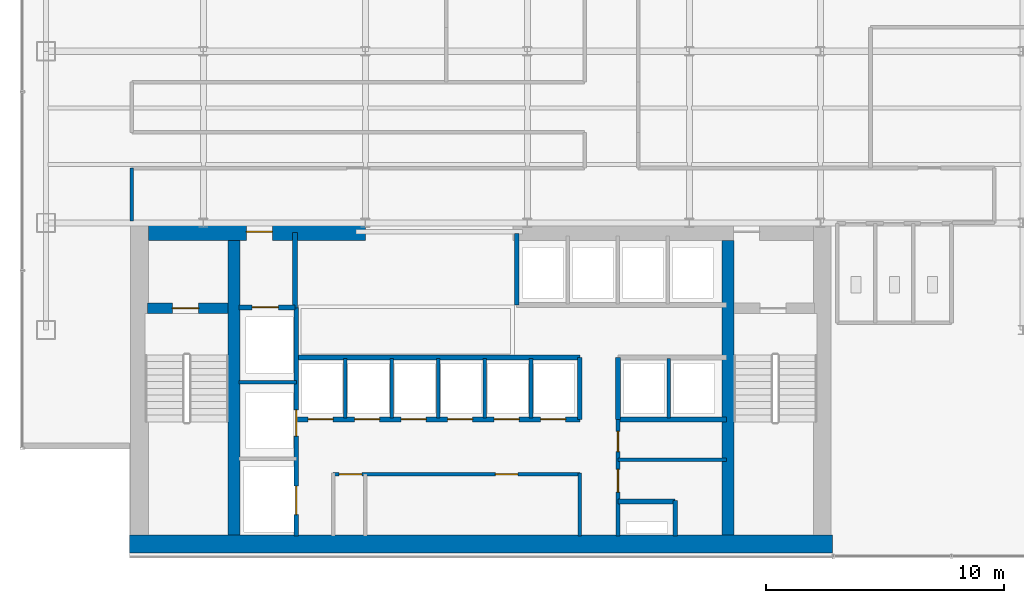
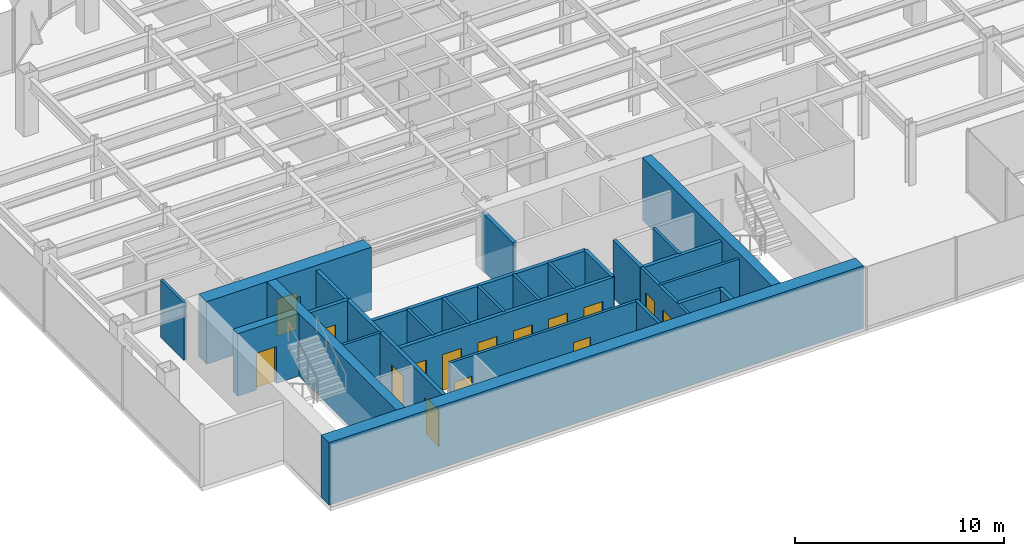
# One storey, part 21 of 26: 28 walls, 15 doors, 15 openings.
"""IFC4 building model written with IfcOpenShell, lengths in metres."""

from ifc_helpers import new_model, si_unit, derived_unit, direction, frame, frame_2d, origin, place, context, subcontext, project, spatial, rectangle, extrude, source, transform, mapped, material, layer, layer_set, type_object, element, fill, save


model = new_model("IFC4")

# Units and contexts
model_context = context("Model", 3, precision=1e-05, world=origin(), true_north=direction((0.0, 1.0)))
body_context = subcontext(model_context, "Body", "Model", "MODEL_VIEW")
ifc_project = project(units=[si_unit("LENGTHUNIT", "METRE"), si_unit("AREAUNIT", "SQUARE_METRE"), si_unit("VOLUMEUNIT", "CUBIC_METRE"), si_unit("PLANEANGLEUNIT", "RADIAN"), si_unit("MASSUNIT", "GRAM", prefix="KILO"), derived_unit("THERMALTRANSMITTANCEUNIT", [(si_unit("POWERUNIT", "WATT"), 1), (si_unit("LENGTHUNIT", "METRE"), -2), (si_unit("THERMODYNAMICTEMPERATUREUNIT", "KELVIN"), -1)])], contexts=[model_context])

# Site, building, storey
site_placement = place(None, origin())
site = spatial("IfcSite", under=ifc_project, at=site_placement, CompositionType="ELEMENT")
building_placement = place(site_placement, origin())
building = spatial("IfcBuilding", under=site, at=building_placement, Name="Skarnbrae Concourse Arena and Tower", CompositionType="ELEMENT")
storey_placement = place(building_placement, frame((0.0, 0.0, 132.449951171875)))
storey = spatial("IfcBuildingStorey", under=building, at=storey_placement, Name="L33", CompositionType="ELEMENT", Elevation=132.449951171875)

# Wall, opening, door
ifc_material_1 = material(Name="Concrete 50 MPa (C50/60)", Category="concrete")
ifc_layer_1 = layer(ifc_material_1, 0.449951171875)
ifc_layer_set_1 = layer_set([ifc_layer_1], Name="Concrete 50 MPa (C50/60)")
wall_type_1 = type_object("IfcWallType", Name="WALL-CORE-450-C50", PredefinedType="SHEAR", material=ifc_layer_set_1)
shared_shape_1 = source(origin(), body_context, "Body", "SweptSolid", [
    extrude(rectangle(XDim=3.389892578125, YDim=0.449951171875, at=frame_2d((1.69482421875, 0.0))), origin(), (0.0, 0.0, 1.0), 3.650146484375),
])
wall_1_placement = place(storey_placement, frame((5.25, 10.419921875, 0.0), z_axis=(0.0, 0.0, 1.0), x_axis=(1.0, 0.0, 0.0)))
wall_1 = element("IfcWall", 1, at=wall_1_placement, inside=storey, type_object=wall_type_1, Name="L33 Rear core shear wall CW-ST1-N", PredefinedType="SHEAR", context=body_context, shape_type="MappedRepresentation", body=[
    mapped(shared_shape_1, transform((0.0, 0.0, 0.0))),
])
opening_1_placement = place(wall_1_placement, frame((1.050048828125, 0.0, 0.0)))
opening_1 = element("IfcOpeningElement", 2, at=opening_1_placement, cuts=wall_1, Name="Opening DT-03", PredefinedType="OPENING", context=body_context, shape_type="SweptSolid", body=[
    extrude(rectangle(XDim=1.10009765625, YDim=2.14990234375, at=frame_2d((0.550048828125, 1.074951171875))), frame((0.0, 0.23486328125, 0.0), z_axis=(0.0, -1.0, 0.0), x_axis=(1.0, 0.0, 0.0)), (0.0, 0.0, 1.0), 0.469970703125),
])
ifc_material_2 = material(Name="Steel CSA G40.21 350W", Category="steel")
door_type_1 = type_object("IfcDoorType", Name="DOOR-FIRE-1100-90M", OperationType="NOTDEFINED", PredefinedType="DOOR", material=ifc_material_2)
shared_shape_2 = source(origin(), body_context, "Body", "SweptSolid", [
    extrude(rectangle(XDim=1.10009765625, YDim=2.14990234375, at=frame_2d((0.550048828125, 1.074951171875))), frame((0.0, 0.02490234375, 0.0), z_axis=(0.0, -1.0, 0.0), x_axis=(1.0, 0.0, 0.0)), (0.0, 0.0, 1.0), 0.050048828125),
])
door_1_placement = place(opening_1_placement, frame((1.10009765625, 0.0, 0.0), z_axis=(0.0, 0.0, 1.0), x_axis=(-1.0, 0.0, 0.0)))
door_1 = element("IfcDoor", 3, at=door_1_placement, inside=storey, type_object=door_type_1, Name="D-1056 Stair ST-1 Door", OperationType="SINGLE_SWING_LEFT", OverallHeight=2.14990234375, OverallWidth=1.10009765625, PredefinedType="DOOR", context=body_context, shape_type="MappedRepresentation", body=[
    mapped(shared_shape_2, transform((0.0, 0.0, 0.0))),
])
fill(opening_1, door_1)

# Wall
ifc_material_3 = material(Name="Concrete 60 MPa (C60/75)", Category="concrete")
ifc_layer_2 = layer(ifc_material_3, 0.75)
ifc_layer_set_2 = layer_set([ifc_layer_2], Name="Concrete 60 MPa (C60/75)")
wall_type_2 = type_object("IfcWallType", Name="WALL-CORE-750-C60", PredefinedType="SHEAR", material=ifc_layer_set_2)
shared_shape_3 = source(origin(), body_context, "Body", "SweptSolid", [
    extrude(rectangle(XDim=29.5, YDim=0.75, at=frame_2d((14.75, 0.0))), origin(), (0.0, 0.0, 1.0), 3.650146484375),
])
wall_2_placement = place(storey_placement, frame((4.5, 0.52490234375, 0.0), z_axis=(0.0, 0.0, 1.0), x_axis=(1.0, 0.0, 0.0)))
element("IfcWall", 4, at=wall_2_placement, inside=storey, type_object=wall_type_2, Name="L33 Rear core shear wall CW-S", PredefinedType="SHEAR", context=body_context, shape_type="MappedRepresentation", body=[
    mapped(shared_shape_3, transform((0.0, 0.0, 0.0))),
])

# Wall, opening, door
shared_shape_4 = source(origin(), body_context, "Body", "SweptSolid", [
    extrude(rectangle(XDim=9.099853515625, YDim=0.75, at=frame_2d((4.5498046875, 0.0))), origin(), (0.0, 0.0, 1.0), 3.650146484375),
])
wall_3_placement = place(storey_placement, frame((5.300048828125, 13.625, 0.0), z_axis=(0.0, 0.0, 1.0), x_axis=(1.0, 0.0, 0.0)))
wall_3 = element("IfcWall", 5, at=wall_3_placement, inside=storey, type_object=wall_type_2, Name="L33 Rear core shear wall CW-NW", PredefinedType="SHEAR", context=body_context, shape_type="MappedRepresentation", body=[
    mapped(shared_shape_4, transform((0.0, 0.0, 0.0))),
])
opening_2_placement = place(wall_3_placement, frame((4.10009765625, 0.0, 0.0)))
opening_2 = element("IfcOpeningElement", 6, at=opening_2_placement, cuts=wall_3, Name="Opening DT-03", PredefinedType="OPENING", context=body_context, shape_type="SweptSolid", body=[
    extrude(rectangle(XDim=1.10009765625, YDim=2.14990234375, at=frame_2d((0.550048828125, 1.074951171875))), frame((0.0, 0.385009765625, 0.0), z_axis=(0.0, -1.0, 0.0), x_axis=(1.0, 0.0, 0.0)), (0.0, 0.0, 1.0), 0.77001953125),
])
door_2_placement = place(opening_2_placement, origin())
door_2 = element("IfcDoor", 7, at=door_2_placement, inside=storey, type_object=door_type_1, Name="D-1058 Firefighting Lobby Exit Door", OperationType="SINGLE_SWING_RIGHT", OverallHeight=2.14990234375, OverallWidth=1.10009765625, PredefinedType="DOOR", context=body_context, shape_type="MappedRepresentation", body=[
    mapped(shared_shape_2, transform((0.0, 0.0, 0.0))),
])
fill(opening_2, door_2)

# Walls
ifc_layer_3 = layer(ifc_material_3, 0.5)
ifc_layer_set_3 = layer_set([ifc_layer_3], Name="Concrete 60 MPa (C60/75)")
wall_type_3 = type_object("IfcWallType", Name="WALL-CORE-500-C60", PredefinedType="SHEAR", material=ifc_layer_set_3)
shared_shape_5 = source(origin(), body_context, "Body", "SweptSolid", [
    extrude(rectangle(XDim=12.35009765625, YDim=0.5, at=frame_2d((6.175048828125, 0.0))), origin(), (0.0, 0.0, 1.0), 3.650146484375),
])
for number, where, z_axis, x_axis, name in (
    (8, (8.889892578125, 0.89990234375, 0.0), (0.0, 0.0, 1.0), (0.0, 1.0, 0.0), "L33 Rear core shear wall CW-WEB-W"),
    (9, (29.610107421875, 0.89990234375, 0.0), (0.0, 0.0, 1.0), (0.0, 1.0, 0.0), "L33 Rear core shear wall CW-WEB-E"),
):
    element("IfcWall", number, at=place(storey_placement, frame(where, z_axis=z_axis, x_axis=x_axis)), inside=storey, type_object=wall_type_3, Name=name, PredefinedType="SHEAR", context=body_context, shape_type="MappedRepresentation", body=[
        mapped(shared_shape_5, transform((0.0, 0.0, 0.0))),
    ])
ifc_material_4 = material(Name="Gypsum board on cold-formed steel studs", Category="steel")
ifc_layer_4 = layer(ifc_material_4, 0.199951171875)
ifc_layer_set_4 = layer_set([ifc_layer_4], Name="Gypsum board on cold-formed steel studs")
wall_type_4 = type_object("IfcWallType", Name="WALL-PART-200-2HR", PredefinedType="PARTITIONING", material=ifc_layer_set_4)
shared_shape_6 = source(origin(), body_context, "Body", "SweptSolid", [
    extrude(rectangle(XDim=3.18017578125, YDim=0.199951171875, at=frame_2d((1.590087890625, 0.0))), origin(), (0.0, 0.0, 1.0), 3.35009765625),
])
wall_4_placement = place(storey_placement, frame((11.449951171875, 10.419921875, 0.0), z_axis=(0.0, 0.0, 1.0), x_axis=(0.0, 1.0, 0.0)))
element("IfcWall", 10, at=wall_4_placement, inside=storey, type_object=wall_type_4, Name="L33 Interior partition wall W-L33-FFL-E", PredefinedType="PARTITIONING", context=body_context, shape_type="MappedRepresentation", body=[
    mapped(shared_shape_6, transform((0.0, 0.0, 0.0))),
])

# Wall, opening, door
shared_shape_7 = source(origin(), body_context, "Body", "SweptSolid", [
    extrude(rectangle(XDim=2.349853515625, YDim=0.199951171875, at=frame_2d((1.1748046875, 0.0))), origin(), (0.0, 0.0, 1.0), 3.35009765625),
])
wall_5_placement = place(storey_placement, frame((9.10009765625, 10.449951171875, 0.0), z_axis=(0.0, 0.0, 1.0), x_axis=(1.0, 0.0, 0.0)))
wall_5 = element("IfcWall", 11, at=wall_5_placement, inside=storey, type_object=wall_type_4, Name="L33 Interior partition wall W-L33-FL1-N", PredefinedType="PARTITIONING", context=body_context, shape_type="MappedRepresentation", body=[
    mapped(shared_shape_7, transform((0.0, 0.0, 0.0))),
])
opening_3_placement = place(wall_5_placement, frame((0.550048828125, 0.0, 0.0)))
opening_3 = element("IfcOpeningElement", 12, at=opening_3_placement, cuts=wall_5, Name="Opening LD-01", PredefinedType="OPENING", context=body_context, shape_type="SweptSolid", body=[
    extrude(rectangle(XDim=1.10009765625, YDim=2.14990234375, at=frame_2d((0.550048828125, 1.074951171875))), frame((0.0, 0.10986328125, 0.0), z_axis=(0.0, -1.0, 0.0), x_axis=(1.0, 0.0, 0.0)), (0.0, 0.0, 1.0), 0.219970703125),
])
door_type_2 = type_object("IfcDoorType", Name="DOOR-LIFT-SLIDE-1100", OperationType="SLIDING_TO_LEFT", PredefinedType="DOOR", material=ifc_material_2)
door_3_placement = place(opening_3_placement, origin())
door_3 = element("IfcDoor", 13, at=door_3_placement, inside=storey, type_object=door_type_2, Name="D-1060 Firefighting Lift Landing Door FL-01", OperationType="SLIDING_TO_LEFT", OverallHeight=2.14990234375, OverallWidth=1.10009765625, PredefinedType="DOOR", context=body_context, shape_type="MappedRepresentation", body=[
    mapped(shared_shape_2, transform((0.0, 0.0, 0.0))),
])
fill(opening_3, door_3)

# Wall, openings, doors
shared_shape_8 = source(origin(), body_context, "Body", "SweptSolid", [
    extrude(rectangle(XDim=9.599853515625, YDim=0.199951171875, at=frame_2d((4.7998046875, 0.0))), origin(), (0.0, 0.0, 1.0), 3.35009765625),
])
wall_6_placement = place(storey_placement, frame((11.5, 0.85009765625, 0.0), z_axis=(0.0, 0.0, 1.0), x_axis=(0.0, 1.0, 0.0)))
wall_6 = element("IfcWall", 14, at=wall_6_placement, inside=storey, type_object=wall_type_4, Name="L33 Interior partition wall W-L33-FL-E", PredefinedType="PARTITIONING", context=body_context, shape_type="MappedRepresentation", body=[
    mapped(shared_shape_8, transform((0.0, 0.0, 0.0))),
])
opening_4_placement = place(wall_6_placement, frame((4.199951171875, 0.0, 0.0)))
opening_4 = element("IfcOpeningElement", 15, at=opening_4_placement, cuts=wall_6, Name="Opening LD-01", PredefinedType="OPENING", context=body_context, shape_type="SweptSolid", body=[
    extrude(rectangle(XDim=1.10009765625, YDim=2.14990234375, at=frame_2d((0.550048828125, 1.074951171875))), frame((0.0, 0.10986328125, 0.0), z_axis=(0.0, -1.0, 0.0), x_axis=(1.0, 0.0, 0.0)), (0.0, 0.0, 1.0), 0.219970703125),
])
opening_5_placement = place(wall_6_placement, frame((0.89990234375, 0.0, 0.0)))
opening_5 = element("IfcOpeningElement", 16, at=opening_5_placement, cuts=wall_6, Name="Opening LD-02", PredefinedType="OPENING", context=body_context, shape_type="SweptSolid", body=[
    extrude(rectangle(XDim=1.199951171875, YDim=2.14990234375, at=frame_2d((0.60009765625, 1.074951171875))), frame((0.0, 0.10986328125, 0.0), z_axis=(0.0, -1.0, 0.0), x_axis=(1.0, 0.0, 0.0)), (0.0, 0.0, 1.0), 0.219970703125),
])
door_4_placement = place(opening_4_placement, frame((1.10009765625, 0.0, 0.0), z_axis=(0.0, 0.0, 1.0), x_axis=(-1.0, 0.0, 0.0)))
door_4 = element("IfcDoor", 17, at=door_4_placement, inside=storey, type_object=door_type_2, Name="D-1061 Firefighting Lift Landing Door FL-02", OperationType="SLIDING_TO_LEFT", OverallHeight=2.14990234375, OverallWidth=1.10009765625, PredefinedType="DOOR", context=body_context, shape_type="MappedRepresentation", body=[
    mapped(shared_shape_2, transform((0.0, 0.0, 0.0))),
])
fill(opening_4, door_4)
door_type_3 = type_object("IfcDoorType", Name="DOOR-LIFT-SLIDE-1200", OperationType="SLIDING_TO_LEFT", PredefinedType="DOOR", material=ifc_material_2)
shared_shape_9 = source(origin(), body_context, "Body", "SweptSolid", [
    extrude(rectangle(XDim=1.199951171875, YDim=2.14990234375, at=frame_2d((0.60009765625, 1.074951171875))), frame((0.0, 0.02490234375, 0.0), z_axis=(0.0, -1.0, 0.0), x_axis=(1.0, 0.0, 0.0)), (0.0, 0.0, 1.0), 0.050048828125),
])
door_5_placement = place(opening_5_placement, frame((1.199951171875, 0.0, 0.0), z_axis=(0.0, 0.0, 1.0), x_axis=(-1.0, 0.0, 0.0)))
door_5 = element("IfcDoor", 18, at=door_5_placement, inside=storey, type_object=door_type_3, Name="D-1062 Service Lift Landing Door SV-01", OperationType="SLIDING_TO_LEFT", OverallHeight=2.14990234375, OverallWidth=1.199951171875, PredefinedType="DOOR", context=body_context, shape_type="MappedRepresentation", body=[
    mapped(shared_shape_9, transform((0.0, 0.0, 0.0))),
])
fill(opening_5, door_5)

# Walls
ifc_layer_5 = layer(ifc_material_4, 0.14990234375)
ifc_layer_set_5 = layer_set([ifc_layer_5], Name="Gypsum board on cold-formed steel studs")
wall_type_5 = type_object("IfcWallType", Name="WALL-PART-150", PredefinedType="PARTITIONING", material=ifc_layer_set_5)
shared_shape_10 = source(origin(), body_context, "Body", "SweptSolid", [
    extrude(rectangle(XDim=2.39990234375, YDim=0.14990234375, at=frame_2d((1.199951171875, 0.0))), origin(), (0.0, 0.0, 1.0), 3.35009765625),
])
wall_7_placement = place(storey_placement, frame((9.10009765625, 7.300048828125, 0.0), z_axis=(0.0, 0.0, 1.0), x_axis=(1.0, 0.0, 0.0)))
element("IfcWall", 19, at=wall_7_placement, inside=storey, type_object=wall_type_5, Name="L33 Interior partition wall W-L33-FL-D2", PredefinedType="PARTITIONING", context=body_context, shape_type="MappedRepresentation", body=[
    mapped(shared_shape_10, transform((0.0, 0.0, 0.0))),
])
ifc_layer_6 = layer(ifc_material_4, 0.14990234375)
ifc_layer_set_6 = layer_set([ifc_layer_6], Name="Gypsum board on cold-formed steel studs")
wall_type_6 = type_object("IfcWallType", Name="WALL-PART-150-1HR", PredefinedType="PARTITIONING", material=ifc_layer_set_6)
shared_shape_11 = source(origin(), body_context, "Body", "SweptSolid", [
    extrude(rectangle(XDim=2.64990234375, YDim=0.14990234375, at=frame_2d((1.324951171875, 0.0))), origin(), (0.0, 0.0, 1.0), 3.35009765625),
])
wall_8_placement = place(storey_placement, frame((23.39990234375, 0.85009765625, 0.0), z_axis=(0.0, 0.0, 1.0), x_axis=(0.0, 1.0, 0.0)))
element("IfcWall", 20, at=wall_8_placement, inside=storey, type_object=wall_type_6, Name="L33 Interior partition wall W-L33-B1M-E", PredefinedType="PARTITIONING", context=body_context, shape_type="MappedRepresentation", body=[
    mapped(shared_shape_11, transform((0.0, 0.0, 0.0))),
])

# Wall, openings, doors
shared_shape_12 = source(origin(), body_context, "Body", "SweptSolid", [
    extrude(rectangle(XDim=10.349853515625, YDim=0.14990234375, at=frame_2d((5.1748046875, 0.0))), origin(), (0.0, 0.0, 1.0), 3.35009765625),
])
wall_9_placement = place(storey_placement, frame((13.050048828125, 3.449951171875, 0.0), z_axis=(0.0, 0.0, 1.0), x_axis=(1.0, 0.0, 0.0)))
wall_9 = element("IfcWall", 21, at=wall_9_placement, inside=storey, type_object=wall_type_6, Name="L33 Interior partition wall W-L33-B1M-N", PredefinedType="PARTITIONING", context=body_context, shape_type="MappedRepresentation", body=[
    mapped(shared_shape_12, transform((0.0, 0.0, 0.0))),
])
opening_6_placement = place(wall_9_placement, frame((0.25, 0.0, 0.0)))
opening_6 = element("IfcOpeningElement", 22, at=opening_6_placement, cuts=wall_9, Name="Opening DT-04", PredefinedType="OPENING", context=body_context, shape_type="SweptSolid", body=[
    extrude(rectangle(XDim=0.949951171875, YDim=2.14990234375, at=frame_2d((0.47509765625, 1.074951171875))), frame((0.0, 0.0849609375, 0.0), z_axis=(0.0, -1.0, 0.0), x_axis=(1.0, 0.0, 0.0)), (0.0, 0.0, 1.0), 0.169921875),
])
opening_7_placement = place(wall_9_placement, frame((6.800048828125, 0.0, 0.0)))
opening_7 = element("IfcOpeningElement", 23, at=opening_7_placement, cuts=wall_9, Name="Opening DT-04", PredefinedType="OPENING", context=body_context, shape_type="SweptSolid", body=[
    extrude(rectangle(XDim=0.949951171875, YDim=2.14990234375, at=frame_2d((0.47509765625, 1.074951171875))), frame((0.0, 0.0849609375, 0.0), z_axis=(0.0, -1.0, 0.0), x_axis=(1.0, 0.0, 0.0)), (0.0, 0.0, 1.0), 0.169921875),
])
door_type_4 = type_object("IfcDoorType", Name="DOOR-INT-950-45M", OperationType="NOTDEFINED", PredefinedType="DOOR", material=ifc_material_2)
shared_shape_13 = source(origin(), body_context, "Body", "SweptSolid", [
    extrude(rectangle(XDim=0.949951171875, YDim=2.14990234375, at=frame_2d((0.47509765625, 1.074951171875))), frame((0.0, 0.02490234375, 0.0), z_axis=(0.0, -1.0, 0.0), x_axis=(1.0, 0.0, 0.0)), (0.0, 0.0, 1.0), 0.050048828125),
])
door_6_placement = place(opening_6_placement, origin())
door_6 = element("IfcDoor", 24, at=door_6_placement, inside=storey, type_object=door_type_4, Name="D-1063 First Aid Room Door", OperationType="SINGLE_SWING_LEFT", OverallHeight=2.14990234375, OverallWidth=0.949951171875, PredefinedType="DOOR", context=body_context, shape_type="MappedRepresentation", body=[
    mapped(shared_shape_13, transform((0.0, 0.0, 0.0))),
])
fill(opening_6, door_6)
door_7_placement = place(opening_7_placement, origin())
door_7 = element("IfcDoor", 25, at=door_7_placement, inside=storey, type_object=door_type_4, Name="D-1064 Archive Room Door", OperationType="SINGLE_SWING_RIGHT", OverallHeight=2.14990234375, OverallWidth=0.949951171875, PredefinedType="DOOR", context=body_context, shape_type="MappedRepresentation", body=[
    mapped(shared_shape_13, transform((0.0, 0.0, 0.0))),
])
fill(opening_7, door_7)

shared_shape_14 = source(origin(), body_context, "Body", "SweptSolid", [
    extrude(rectangle(XDim=11.849853515625, YDim=0.199951171875, at=frame_2d((5.9248046875, 0.0))), origin(), (0.0, 0.0, 1.0), 3.35009765625),
])
wall_10_placement = place(storey_placement, frame((11.550048828125, 5.75, 0.0), z_axis=(0.0, 0.0, 1.0), x_axis=(1.0, 0.0, 0.0)))
wall_10 = element("IfcWall", 26, at=wall_10_placement, inside=storey, type_object=wall_type_4, Name="L33 Interior partition wall W-L33-B2-S", PredefinedType="PARTITIONING", context=body_context, shape_type="MappedRepresentation", body=[
    mapped(shared_shape_14, transform((0.0, 0.0, 0.0))),
])
opening_8_placement = place(wall_10_placement, frame((0.449951171875, 0.0, 0.0)))
opening_8 = element("IfcOpeningElement", 27, at=opening_8_placement, cuts=wall_10, Name="Opening LD-03", PredefinedType="OPENING", context=body_context, shape_type="SweptSolid", body=[
    extrude(rectangle(XDim=1.050048828125, YDim=2.14990234375, at=frame_2d((0.52490234375, 1.074951171875))), frame((0.0, 0.10986328125, 0.0), z_axis=(0.0, -1.0, 0.0), x_axis=(1.0, 0.0, 0.0)), (0.0, 0.0, 1.0), 0.219970703125),
])
opening_9_placement = place(wall_10_placement, frame((2.39990234375, 0.0, 0.0)))
opening_9 = element("IfcOpeningElement", 28, at=opening_9_placement, cuts=wall_10, Name="Opening LD-03", PredefinedType="OPENING", context=body_context, shape_type="SweptSolid", body=[
    extrude(rectangle(XDim=1.050048828125, YDim=2.14990234375, at=frame_2d((0.52490234375, 1.074951171875))), frame((0.0, 0.10986328125, 0.0), z_axis=(0.0, -1.0, 0.0), x_axis=(1.0, 0.0, 0.0)), (0.0, 0.0, 1.0), 0.219970703125),
])
opening_10_placement = place(wall_10_placement, frame((4.35009765625, 0.0, 0.0)))
opening_10 = element("IfcOpeningElement", 29, at=opening_10_placement, cuts=wall_10, Name="Opening LD-03", PredefinedType="OPENING", context=body_context, shape_type="SweptSolid", body=[
    extrude(rectangle(XDim=1.050048828125, YDim=2.14990234375, at=frame_2d((0.52490234375, 1.074951171875))), frame((0.0, 0.10986328125, 0.0), z_axis=(0.0, -1.0, 0.0), x_axis=(1.0, 0.0, 0.0)), (0.0, 0.0, 1.0), 0.219970703125),
])
opening_11_placement = place(wall_10_placement, frame((6.300048828125, 0.0, 0.0)))
opening_11 = element("IfcOpeningElement", 30, at=opening_11_placement, cuts=wall_10, Name="Opening LD-03", PredefinedType="OPENING", context=body_context, shape_type="SweptSolid", body=[
    extrude(rectangle(XDim=1.050048828125, YDim=2.14990234375, at=frame_2d((0.52490234375, 1.074951171875))), frame((0.0, 0.10986328125, 0.0), z_axis=(0.0, -1.0, 0.0), x_axis=(1.0, 0.0, 0.0)), (0.0, 0.0, 1.0), 0.219970703125),
])
opening_12_placement = place(wall_10_placement, frame((8.25, 0.0, 0.0)))
opening_12 = element("IfcOpeningElement", 31, at=opening_12_placement, cuts=wall_10, Name="Opening LD-03", PredefinedType="OPENING", context=body_context, shape_type="SweptSolid", body=[
    extrude(rectangle(XDim=1.050048828125, YDim=2.14990234375, at=frame_2d((0.52490234375, 1.074951171875))), frame((0.0, 0.10986328125, 0.0), z_axis=(0.0, -1.0, 0.0), x_axis=(1.0, 0.0, 0.0)), (0.0, 0.0, 1.0), 0.219970703125),
])
opening_13_placement = place(wall_10_placement, frame((10.199951171875, 0.0, 0.0)))
opening_13 = element("IfcOpeningElement", 32, at=opening_13_placement, cuts=wall_10, Name="Opening LD-03", PredefinedType="OPENING", context=body_context, shape_type="SweptSolid", body=[
    extrude(rectangle(XDim=1.050048828125, YDim=2.14990234375, at=frame_2d((0.52490234375, 1.074951171875))), frame((0.0, 0.10986328125, 0.0), z_axis=(0.0, -1.0, 0.0), x_axis=(1.0, 0.0, 0.0)), (0.0, 0.0, 1.0), 0.219970703125),
])
ifc_material_5 = material(Name="Bronze anodised aluminium 6063-T6", Category="aluminium")
door_type_5 = type_object("IfcDoorType", Name="DOOR-LIFT-SLIDE-1050", OperationType="SLIDING_TO_LEFT", PredefinedType="DOOR", material=ifc_material_5)
shared_shape_15 = source(origin(), body_context, "Body", "SweptSolid", [
    extrude(rectangle(XDim=1.050048828125, YDim=2.14990234375, at=frame_2d((0.52490234375, 1.074951171875))), frame((0.0, 0.02490234375, 0.0), z_axis=(0.0, -1.0, 0.0), x_axis=(1.0, 0.0, 0.0)), (0.0, 0.0, 1.0), 0.050048828125),
])
door_8_placement = place(opening_8_placement, frame((1.050048828125, 0.0, 0.0), z_axis=(0.0, 0.0, 1.0), x_axis=(-1.0, 0.0, 0.0)))
door_8 = element("IfcDoor", 33, at=door_8_placement, inside=storey, type_object=door_type_5, Name="D-1065 Passenger Lift Landing Door PL-2A", OperationType="SLIDING_TO_LEFT", OverallHeight=2.14990234375, OverallWidth=1.050048828125, PredefinedType="DOOR", context=body_context, shape_type="MappedRepresentation", body=[
    mapped(shared_shape_15, transform((0.0, 0.0, 0.0))),
])
fill(opening_8, door_8)
door_9_placement = place(opening_9_placement, frame((1.050048828125, 0.0, 0.0), z_axis=(0.0, 0.0, 1.0), x_axis=(-1.0, 0.0, 0.0)))
door_9 = element("IfcDoor", 34, at=door_9_placement, inside=storey, type_object=door_type_5, Name="D-1066 Passenger Lift Landing Door PL-2B", OperationType="SLIDING_TO_LEFT", OverallHeight=2.14990234375, OverallWidth=1.050048828125, PredefinedType="DOOR", context=body_context, shape_type="MappedRepresentation", body=[
    mapped(shared_shape_15, transform((0.0, 0.0, 0.0))),
])
fill(opening_9, door_9)
door_10_placement = place(opening_10_placement, frame((1.050048828125, 0.0, 0.0), z_axis=(0.0, 0.0, 1.0), x_axis=(-1.0, 0.0, 0.0)))
door_10 = element("IfcDoor", 35, at=door_10_placement, inside=storey, type_object=door_type_5, Name="D-1067 Passenger Lift Landing Door PL-2C", OperationType="SLIDING_TO_LEFT", OverallHeight=2.14990234375, OverallWidth=1.050048828125, PredefinedType="DOOR", context=body_context, shape_type="MappedRepresentation", body=[
    mapped(shared_shape_15, transform((0.0, 0.0, 0.0))),
])
fill(opening_10, door_10)
door_11_placement = place(opening_11_placement, frame((1.050048828125, 0.0, 0.0), z_axis=(0.0, 0.0, 1.0), x_axis=(-1.0, 0.0, 0.0)))
door_11 = element("IfcDoor", 36, at=door_11_placement, inside=storey, type_object=door_type_5, Name="D-1068 Passenger Lift Landing Door PL-2D", OperationType="SLIDING_TO_LEFT", OverallHeight=2.14990234375, OverallWidth=1.050048828125, PredefinedType="DOOR", context=body_context, shape_type="MappedRepresentation", body=[
    mapped(shared_shape_15, transform((0.0, 0.0, 0.0))),
])
fill(opening_11, door_11)
door_12_placement = place(opening_12_placement, frame((1.050048828125, 0.0, 0.0), z_axis=(0.0, 0.0, 1.0), x_axis=(-1.0, 0.0, 0.0)))
door_12 = element("IfcDoor", 37, at=door_12_placement, inside=storey, type_object=door_type_5, Name="D-1069 Passenger Lift Landing Door PL-2E", OperationType="SLIDING_TO_LEFT", OverallHeight=2.14990234375, OverallWidth=1.050048828125, PredefinedType="DOOR", context=body_context, shape_type="MappedRepresentation", body=[
    mapped(shared_shape_15, transform((0.0, 0.0, 0.0))),
])
fill(opening_12, door_12)
door_13_placement = place(opening_13_placement, frame((1.050048828125, 0.0, 0.0), z_axis=(0.0, 0.0, 1.0), x_axis=(-1.0, 0.0, 0.0)))
door_13 = element("IfcDoor", 38, at=door_13_placement, inside=storey, type_object=door_type_5, Name="D-1070 Passenger Lift Landing Door PL-2F", OperationType="SLIDING_TO_LEFT", OverallHeight=2.14990234375, OverallWidth=1.050048828125, PredefinedType="DOOR", context=body_context, shape_type="MappedRepresentation", body=[
    mapped(shared_shape_15, transform((0.0, 0.0, 0.0))),
])
fill(opening_13, door_13)

# Walls
wall_11_placement = place(storey_placement, frame((11.550048828125, 8.35009765625, 0.0), z_axis=(0.0, 0.0, 1.0), x_axis=(1.0, 0.0, 0.0)))
element("IfcWall", 39, at=wall_11_placement, inside=storey, type_object=wall_type_4, Name="L33 Interior partition wall W-L33-B2-N", PredefinedType="PARTITIONING", context=body_context, shape_type="MappedRepresentation", body=[
    mapped(shared_shape_14, transform((0.0, 0.0, 0.0))),
])
shared_shape_16 = source(origin(), body_context, "Body", "SweptSolid", [
    extrude(rectangle(XDim=2.60009765625, YDim=0.199951171875, at=frame_2d((1.300048828125, 0.0))), origin(), (0.0, 0.0, 1.0), 3.35009765625),
])
for number, where, z_axis, x_axis, name in (
    (40, (23.39990234375, 5.75, 0.0), (0.0, 0.0, 1.0), (0.0, 1.0, 0.0), "L33 Interior partition wall W-L33-B2-E"),
    (41, (25.0, 5.75, 0.0), (0.0, 0.0, 1.0), (0.0, 1.0, 0.0), "L33 Interior partition wall W-L33-B3S-W"),
):
    element("IfcWall", number, at=place(storey_placement, frame(where, z_axis=z_axis, x_axis=x_axis)), inside=storey, type_object=wall_type_4, Name=name, PredefinedType="PARTITIONING", context=body_context, shape_type="MappedRepresentation", body=[
        mapped(shared_shape_16, transform((0.0, 0.0, 0.0))),
    ])
shared_shape_17 = source(origin(), body_context, "Body", "SweptSolid", [
    extrude(rectangle(XDim=2.5, YDim=0.14990234375, at=frame_2d((1.25, 0.0))), origin(), (0.0, 0.0, 1.0), 3.35009765625),
])
for number, where, z_axis, x_axis, name in (
    (42, (13.550048828125, 5.800048828125, 0.0), (0.0, 0.0, 1.0), (0.0, 1.0, 0.0), "L33 Interior partition wall W-L33-B2-P1"),
    (43, (15.5, 5.800048828125, 0.0), (0.0, 0.0, 1.0), (0.0, 1.0, 0.0), "L33 Interior partition wall W-L33-B2-P2"),
    (44, (17.449951171875, 5.800048828125, 0.0), (0.0, 0.0, 1.0), (0.0, 1.0, 0.0), "L33 Interior partition wall W-L33-B2-P3"),
    (45, (19.39990234375, 5.800048828125, 0.0), (0.0, 0.0, 1.0), (0.0, 1.0, 0.0), "L33 Interior partition wall W-L33-B2-P4"),
    (46, (21.35009765625, 5.800048828125, 0.0), (0.0, 0.0, 1.0), (0.0, 1.0, 0.0), "L33 Interior partition wall W-L33-B2-P5"),
    (47, (27.139892578125, 5.800048828125, 0.0), (0.0, 0.0, 1.0), (0.0, 1.0, 0.0), "L33 Interior partition wall W-L33-B3S-P1"),
):
    element("IfcWall", number, at=place(storey_placement, frame(where, z_axis=z_axis, x_axis=x_axis)), inside=storey, type_object=wall_type_5, Name=name, PredefinedType="PARTITIONING", context=body_context, shape_type="MappedRepresentation", body=[
        mapped(shared_shape_17, transform((0.0, 0.0, 0.0))),
    ])
shared_shape_18 = source(origin(), body_context, "Body", "SweptSolid", [
    extrude(rectangle(XDim=3.0, YDim=0.199951171875, at=frame_2d((1.5, 0.0))), origin(), (0.0, 0.0, 1.0), 3.35009765625),
])
wall_12_placement = place(storey_placement, frame((20.75, 10.550048828125, 0.0), z_axis=(0.0, 0.0, 1.0), x_axis=(0.0, 1.0, 0.0)))
element("IfcWall", 48, at=wall_12_placement, inside=storey, type_object=wall_type_4, Name="L33 Interior partition wall W-L33-B3N-W", PredefinedType="PARTITIONING", context=body_context, shape_type="MappedRepresentation", body=[
    mapped(shared_shape_18, transform((0.0, 0.0, 0.0))),
])
shared_shape_19 = source(origin(), body_context, "Body", "SweptSolid", [
    extrude(rectangle(XDim=4.550048828125, YDim=0.199951171875, at=frame_2d((2.27490234375, 0.0))), origin(), (0.0, 0.0, 1.0), 3.35009765625),
])
wall_13_placement = place(storey_placement, frame((25.0, 5.75, 0.0), z_axis=(0.0, 0.0, 1.0), x_axis=(1.0, 0.0, 0.0)))
element("IfcWall", 49, at=wall_13_placement, inside=storey, type_object=wall_type_4, Name="L33 Interior partition wall W-L33-B3S-S", PredefinedType="PARTITIONING", context=body_context, shape_type="MappedRepresentation", body=[
    mapped(shared_shape_19, transform((0.0, 0.0, 0.0))),
])

# Wall, openings, doors
shared_shape_20 = source(origin(), body_context, "Body", "SweptSolid", [
    extrude(rectangle(XDim=4.89990234375, YDim=0.14990234375, at=frame_2d((2.449951171875, 0.0))), origin(), (0.0, 0.0, 1.0), 3.35009765625),
])
wall_14_placement = place(storey_placement, frame((25.0, 0.85009765625, 0.0), z_axis=(0.0, 0.0, 1.0), x_axis=(0.0, 1.0, 0.0)))
wall_14 = element("IfcWall", 50, at=wall_14_placement, inside=storey, type_object=wall_type_6, Name="L33 Interior partition wall W-L33-CSV-W", PredefinedType="PARTITIONING", context=body_context, shape_type="MappedRepresentation", body=[
    mapped(shared_shape_20, transform((0.0, 0.0, 0.0))),
])
opening_14_placement = place(wall_14_placement, frame((1.85009765625, 0.0, 0.0)))
opening_14 = element("IfcOpeningElement", 51, at=opening_14_placement, cuts=wall_14, Name="Opening DT-04", PredefinedType="OPENING", context=body_context, shape_type="SweptSolid", body=[
    extrude(rectangle(XDim=0.949951171875, YDim=2.14990234375, at=frame_2d((0.47509765625, 1.074951171875))), frame((0.0, 0.0849609375, 0.0), z_axis=(0.0, -1.0, 0.0), x_axis=(1.0, 0.0, 0.0)), (0.0, 0.0, 1.0), 0.169921875),
])
opening_15_placement = place(wall_14_placement, frame((3.550048828125, 0.0, 0.0)))
opening_15 = element("IfcOpeningElement", 52, at=opening_15_placement, cuts=wall_14, Name="Opening DT-08", PredefinedType="OPENING", context=body_context, shape_type="SweptSolid", body=[
    extrude(rectangle(XDim=0.85009765625, YDim=2.14990234375, at=frame_2d((0.425048828125, 1.074951171875))), frame((0.0, 0.0849609375, 0.0), z_axis=(0.0, -1.0, 0.0), x_axis=(1.0, 0.0, 0.0)), (0.0, 0.0, 1.0), 0.169921875),
])
door_14_placement = place(opening_14_placement, origin())
door_14 = element("IfcDoor", 53, at=door_14_placement, inside=storey, type_object=door_type_4, Name="D-1071 Core Staff WC Door", OperationType="SINGLE_SWING_RIGHT", OverallHeight=2.14990234375, OverallWidth=0.949951171875, PredefinedType="DOOR", context=body_context, shape_type="MappedRepresentation", body=[
    mapped(shared_shape_13, transform((0.0, 0.0, 0.0))),
])
fill(opening_14, door_14)
door_type_6 = type_object("IfcDoorType", Name="DOOR-INT-850-45M", OperationType="NOTDEFINED", PredefinedType="DOOR", material=ifc_material_2)
shared_shape_21 = source(origin(), body_context, "Body", "SweptSolid", [
    extrude(rectangle(XDim=0.85009765625, YDim=2.14990234375, at=frame_2d((0.425048828125, 1.074951171875))), frame((0.0, 0.02490234375, 0.0), z_axis=(0.0, -1.0, 0.0), x_axis=(1.0, 0.0, 0.0)), (0.0, 0.0, 1.0), 0.050048828125),
])
door_15_placement = place(opening_15_placement, origin())
door_15 = element("IfcDoor", 54, at=door_15_placement, inside=storey, type_object=door_type_6, Name="D-1072 IT Patch Room Door", OperationType="SINGLE_SWING_LEFT", OverallHeight=2.14990234375, OverallWidth=0.85009765625, PredefinedType="DOOR", context=body_context, shape_type="MappedRepresentation", body=[
    mapped(shared_shape_21, transform((0.0, 0.0, 0.0))),
])
fill(opening_15, door_15)

# Walls
shared_shape_22 = source(origin(), body_context, "Body", "SweptSolid", [
    extrude(rectangle(XDim=2.39990234375, YDim=0.199951171875, at=frame_2d((1.199951171875, 0.0))), origin(), (0.0, 0.0, 1.0), 3.35009765625),
])
wall_15_placement = place(storey_placement, frame((25.0, 2.300048828125, 0.0), z_axis=(0.0, 0.0, 1.0), x_axis=(1.0, 0.0, 0.0)))
element("IfcWall", 55, at=wall_15_placement, inside=storey, type_object=wall_type_4, Name="L33 Interior partition wall W-L33-MEP-N", PredefinedType="PARTITIONING", context=body_context, shape_type="MappedRepresentation", body=[
    mapped(shared_shape_22, transform((0.0, 0.0, 0.0))),
])
shared_shape_23 = source(origin(), body_context, "Body", "SweptSolid", [
    extrude(rectangle(XDim=1.5, YDim=0.199951171875, at=frame_2d((0.75, 0.0))), origin(), (0.0, 0.0, 1.0), 3.35009765625),
])
wall_16_placement = place(storey_placement, frame((27.39990234375, 0.85009765625, 0.0), z_axis=(0.0, 0.0, 1.0), x_axis=(0.0, 1.0, 0.0)))
element("IfcWall", 56, at=wall_16_placement, inside=storey, type_object=wall_type_4, Name="L33 Interior partition wall W-L33-MEP-E", PredefinedType="PARTITIONING", context=body_context, shape_type="MappedRepresentation", body=[
    mapped(shared_shape_23, transform((0.0, 0.0, 0.0))),
])
shared_shape_24 = source(origin(), body_context, "Body", "SweptSolid", [
    extrude(rectangle(XDim=4.550048828125, YDim=0.14990234375, at=frame_2d((2.27490234375, 0.0))), origin(), (0.0, 0.0, 1.0), 3.35009765625),
])
wall_17_placement = place(storey_placement, frame((25.0, 4.050048828125, 0.0), z_axis=(0.0, 0.0, 1.0), x_axis=(1.0, 0.0, 0.0)))
element("IfcWall", 57, at=wall_17_placement, inside=storey, type_object=wall_type_5, Name="L33 Interior partition wall W-L33-CSV-H2", PredefinedType="PARTITIONING", context=body_context, shape_type="MappedRepresentation", body=[
    mapped(shared_shape_24, transform((0.0, 0.0, 0.0))),
])
shared_shape_25 = source(origin(), body_context, "Body", "SweptSolid", [
    extrude(rectangle(XDim=2.219970703125, YDim=0.14990234375, at=frame_2d((1.10986328125, 0.0))), origin(), (0.0, 0.0, 1.0), 3.35009765625),
])
wall_18_placement = place(storey_placement, frame((4.60009765625, 14.080078125, 0.0), z_axis=(0.0, 0.0, 1.0), x_axis=(0.0, 1.0, 0.0)))
element("IfcWall", 58, at=wall_18_placement, inside=storey, type_object=wall_type_6, Name="L33 Interior partition wall W-L33-COR-01", PredefinedType="PARTITIONING", context=body_context, shape_type="MappedRepresentation", body=[
    mapped(shared_shape_25, transform((0.0, 0.0, 0.0))),
])

save(model, "model.ifc")
